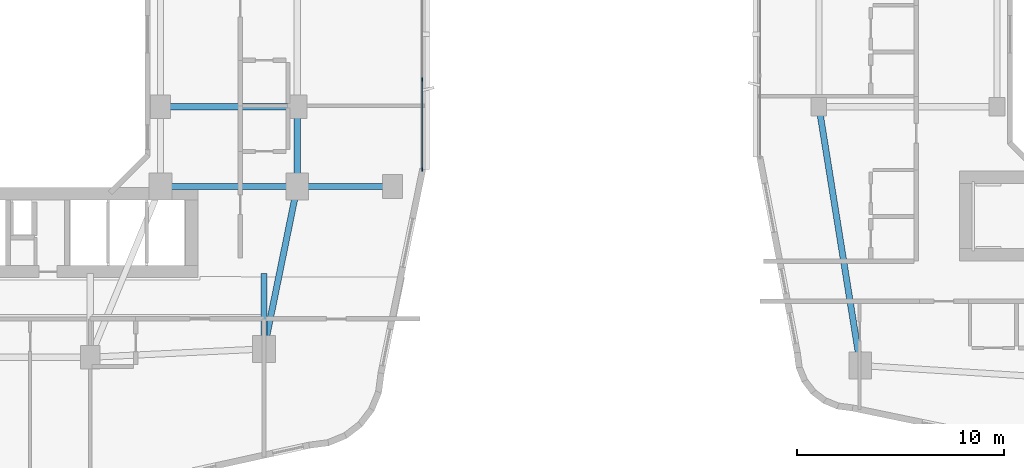
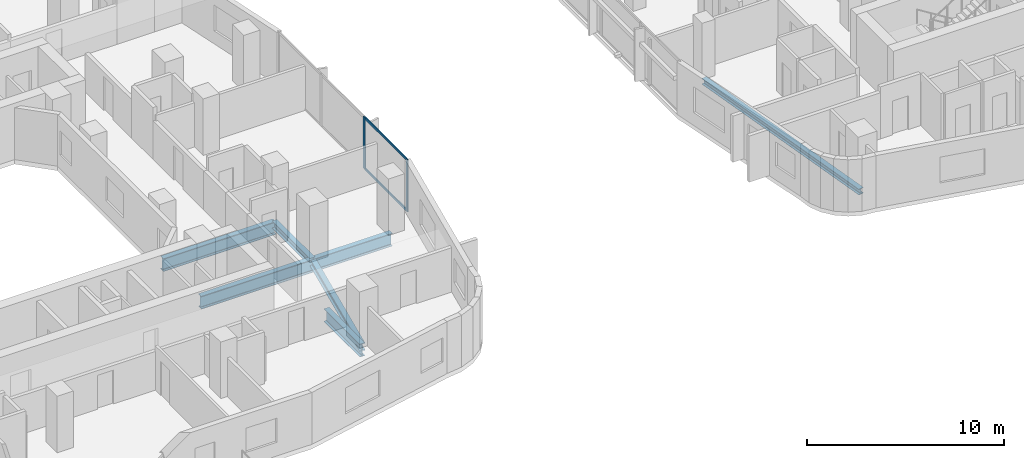
# One storey, part 3 of 22: 7 beams, 4 members, 1 element without a shape of its own.
"""IFC4 building model written with IfcOpenShell, lengths in metres."""

from ifc_helpers import new_model, si_unit, derived_unit, direction, frame, origin, origin_2d, place, context, subcontext, project, spatial, rectangle, i_section, extrude, material, layer, layer_set, material_profile, profile_set, type_object, element, aggregate, save


model = new_model("IFC4")

# Units and contexts
model_context = context("Model", 3, precision=1e-05, world=origin(), true_north=direction((0.0, 1.0)))
body_context = subcontext(model_context, "Body", "Model", "MODEL_VIEW")
ifc_project = project(units=[si_unit("LENGTHUNIT", "METRE"), si_unit("AREAUNIT", "SQUARE_METRE"), si_unit("VOLUMEUNIT", "CUBIC_METRE"), si_unit("PLANEANGLEUNIT", "RADIAN"), si_unit("MASSUNIT", "GRAM", prefix="KILO"), derived_unit("THERMALTRANSMITTANCEUNIT", [(si_unit("POWERUNIT", "WATT"), 1), (si_unit("LENGTHUNIT", "METRE"), -2), (si_unit("THERMODYNAMICTEMPERATUREUNIT", "KELVIN"), -1)])], contexts=[model_context])

# Site, building, storey
site_placement = place(None, origin())
site = spatial("IfcSite", under=ifc_project, at=site_placement, CompositionType="ELEMENT")
building_placement = place(site_placement, origin())
building = spatial("IfcBuilding", under=site, at=building_placement, Name="Kivonza Crest Hotel", CompositionType="ELEMENT")
storey_placement = place(building_placement, frame((0.0, 0.0, 48.5)))
storey = spatial("IfcBuildingStorey", under=building, at=storey_placement, Name="L12", CompositionType="ELEMENT", Elevation=48.5)

# Beams
ifc_material_1 = material(Name="Steel S355", Category="steel")
ifc_material_profile_1 = material_profile(ifc_material_1, i_section(OverallWidth=0.300048828125, OverallDepth=0.360107421875, WebThickness=0.012451171875, FlangeThickness=0.0224609375, FilletRadius=0.027099609375, at=origin_2d()), Name="HEB 360")
ifc_profile_set_1 = profile_set([ifc_material_profile_1], Name="Steel S355")
beam_type_1 = type_object("IfcBeamType", Name="BM-HEB360", PredefinedType="SPANDREL", material=ifc_profile_set_1)
beam_1_placement = place(storey_placement, frame((61.0, 21.5, -0.429931640625), z_axis=(0.157990501107, -0.987440631917, 0.0), x_axis=(0.987440631917, 0.157990501107, 0.0)))
element("IfcBeam", 1, at=beam_1_placement, inside=storey, type_object=beam_type_1, Name="Companion Tower T2 L12 perimeter spandrel W1-SW", PredefinedType="SPANDREL", context=body_context, shape_type="SweptSolid", body=[
    extrude(i_section(OverallWidth=0.300048828125, OverallDepth=0.360107421875, WebThickness=0.012451171875, FlangeThickness=0.0224609375, FilletRadius=0.027099609375, at=origin_2d()), origin(), (0.0, 0.0, 1.0), 12.658935546875),
])
ifc_material_profile_2 = material_profile(ifc_material_1, i_section(OverallWidth=0.300048828125, OverallDepth=0.449951171875, WebThickness=0.013916015625, FlangeThickness=0.02587890625, FilletRadius=0.027099609375, at=origin_2d()), Name="HEB 450")
ifc_profile_set_2 = profile_set([ifc_material_profile_2], Name="Steel S355")
beam_type_2 = type_object("IfcBeamType", Name="BM-HEB450", PredefinedType="SPANDREL", material=ifc_profile_set_2)
beam_2_placement = place(storey_placement, frame((34.199951171875, 9.800048828125, -0.5048828125), z_axis=(0.199730733965, 0.979850822273, 0.0), x_axis=(-0.979850822273, 0.199730733965, 0.0)))
element("IfcBeam", 2, at=beam_2_placement, inside=storey, type_object=beam_type_2, Name="Tower T1 L12 perimeter spandrel SE-PSE", PredefinedType="SPANDREL", context=body_context, shape_type="SweptSolid", body=[
    extrude(i_section(OverallWidth=0.300048828125, OverallDepth=0.449951171875, WebThickness=0.013916015625, FlangeThickness=0.02587890625, FilletRadius=0.027099609375, at=origin_2d()), origin(), (0.0, 0.0, 1.0), 8.01123046875),
])
beam_3_placement = place(storey_placement, frame((35.800048828125, 17.64990234375, -0.5048828125), z_axis=(0.0, 1.0, 0.0), x_axis=(-1.0, 0.0, 0.0)))
element("IfcBeam", 3, at=beam_3_placement, inside=storey, type_object=beam_type_2, Name="Tower T1 L12 perimeter spandrel PSE-E1", PredefinedType="SPANDREL", context=body_context, shape_type="SweptSolid", body=[
    extrude(i_section(OverallWidth=0.300048828125, OverallDepth=0.449951171875, WebThickness=0.013916015625, FlangeThickness=0.02587890625, FilletRadius=0.027099609375, at=origin_2d()), origin(), (0.0, 0.0, 1.0), 3.85009765625),
])
ifc_material_profile_3 = material_profile(ifc_material_1, i_section(OverallWidth=0.300048828125, OverallDepth=0.800048828125, WebThickness=0.017578125, FlangeThickness=0.032958984375, FilletRadius=0.030029296875, at=origin_2d()), Name="HEB 800")
ifc_profile_set_3 = profile_set([ifc_material_profile_3], Name="Steel S355")
beam_type_3 = type_object("IfcBeamType", Name="BM-HEB800", PredefinedType="BEAM", material=ifc_profile_set_3)
for number, where, z_axis, x_axis, name in (
    (4, (29.199951171875, 17.64990234375, -0.679931640625), (1.0, 0.0, 0.0), (0.0, 1.0, 0.0), "Tower T1 L12 primary girder TSE-PSE"),
    (5, (29.199951171875, 21.5, -0.679931640625), (1.0, 0.0, 0.0), (0.0, 1.0, 0.0), "Tower T1 L12 primary girder WR1-E1"),
):
    element("IfcBeam", number, at=place(storey_placement, frame(where, z_axis=z_axis, x_axis=x_axis)), inside=storey, type_object=beam_type_3, Name=name, PredefinedType="BEAM", context=body_context, shape_type="SweptSolid", body=[
        extrude(i_section(OverallWidth=0.300048828125, OverallDepth=0.800048828125, WebThickness=0.017578125, FlangeThickness=0.032958984375, FilletRadius=0.030029296875, at=origin_2d()), origin(), (0.0, 0.0, 1.0), 6.60009765625),
    ])
beam_4_placement = place(storey_placement, frame((40.39990234375, 17.64990234375, -0.679931640625), z_axis=(-1.0, 0.0, 0.0), x_axis=(0.0, -1.0, 0.0)))
element("IfcBeam", 6, at=beam_4_placement, inside=storey, type_object=beam_type_3, Name="Tower T1 L12 outer bay girder ZE1", PredefinedType="BEAM", context=body_context, shape_type="SweptSolid", body=[
    extrude(i_section(OverallWidth=0.300048828125, OverallDepth=0.800048828125, WebThickness=0.017578125, FlangeThickness=0.032958984375, FilletRadius=0.030029296875, at=origin_2d()), origin(), (0.0, 0.0, 1.0), 4.599853515625),
])
beam_5_placement = place(storey_placement, frame((34.199951171875, 9.800048828125, -0.679931640625), z_axis=(0.0, 1.0, 0.0), x_axis=(-1.0, 0.0, 0.0)))
element("IfcBeam", 7, at=beam_5_placement, inside=storey, type_object=beam_type_3, Name="Tower T1 L12 radial core girder RSE", PredefinedType="BEAM", context=body_context, shape_type="SweptSolid", body=[
    extrude(i_section(OverallWidth=0.300048828125, OverallDepth=0.800048828125, WebThickness=0.017578125, FlangeThickness=0.032958984375, FilletRadius=0.030029296875, at=origin_2d()), origin(), (0.0, 0.0, 1.0), 3.64990234375),
])

# Curtain wall, members
ifc_material_2 = material(Name="Anodised bronze aluminium and low-E double glazing", Category="aluminium")
ifc_layer = layer(ifc_material_2, 0.179931640625)
ifc_layer_set = layer_set([ifc_layer], Name="Anodised bronze aluminium and low-E double glazing")
curtain_wall_type = type_object("IfcCurtainWallType", Name="CW-SYS-2", PredefinedType="NOTDEFINED", material=ifc_layer_set)
curtain_wall_placement = place(storey_placement, origin())
curtain_wall = element("IfcCurtainWall", 8, at=curtain_wall_placement, inside=storey, type_object=curtain_wall_type, Name="L12 unitised curtain wall CW-T1-L12-17", PredefinedType="NOTDEFINED")
ifc_material_3 = material(Name="Anodised bronze aluminium", Category="aluminium")
ifc_material_profile_4 = material_profile(ifc_material_3, rectangle(XDim=0.06494140625, YDim=0.179931640625, at=origin_2d()), Name="CW-M 65x180")
ifc_profile_set_4 = profile_set([ifc_material_profile_4], Name="Anodised bronze aluminium")
member_type_1 = type_object("IfcMemberType", Name="CW-MUL-65x180", PredefinedType="MULLION", material=ifc_profile_set_4)
member_1_placement = place(storey_placement, frame((41.840087890625, 18.472412109375, 0.0), z_axis=(0.0, 0.0, 1.0), x_axis=(-1.0, 0.0, 0.0)))
member_1 = element("IfcMember", 9, at=member_1_placement, type_object=member_type_1, Name="CW-2 mullion 1", PredefinedType="MULLION", context=body_context, shape_type="SweptSolid", body=[
    extrude(rectangle(XDim=0.06494140625, YDim=0.179931640625, at=origin_2d()), origin(), (0.0, 0.0, 1.0), 3.219970703125),
])
member_2_placement = place(storey_placement, frame((41.840087890625, 22.813232421875, 0.0), z_axis=(0.0, 0.0, 1.0), x_axis=(-1.0, 0.0, 0.0)))
member_2 = element("IfcMember", 10, at=member_2_placement, type_object=member_type_1, Name="CW-2 mullion 2", PredefinedType="MULLION", context=body_context, shape_type="SweptSolid", body=[
    extrude(rectangle(XDim=0.06494140625, YDim=0.179931640625, at=origin_2d()), origin(), (0.0, 0.0, 1.0), 3.219970703125),
])
ifc_material_profile_5 = material_profile(ifc_material_3, rectangle(XDim=0.06494140625, YDim=0.139892578125, at=origin_2d()), Name="CW-T 65x140")
ifc_profile_set_5 = profile_set([ifc_material_profile_5], Name="Anodised bronze aluminium")
member_type_2 = type_object("IfcMemberType", Name="CW-TRN-65x140", PredefinedType="USERDEFINED", material=ifc_profile_set_5)
member_3_placement = place(storey_placement, frame((41.840087890625, 18.5048828125, 0.032470703125), z_axis=(0.0, 1.0, 0.0), x_axis=(-1.0, 0.0, 0.0)))
member_3 = element("IfcMember", 11, at=member_3_placement, type_object=member_type_2, Name="CW-2 transom 1.1", ObjectType="TRANSOM", PredefinedType="USERDEFINED", context=body_context, shape_type="SweptSolid", body=[
    extrude(rectangle(XDim=0.06494140625, YDim=0.139892578125, at=origin_2d()), origin(), (0.0, 0.0, 1.0), 4.27587890625),
])
member_4_placement = place(storey_placement, frame((41.840087890625, 18.5048828125, 3.1875), z_axis=(0.0, 1.0, 0.0), x_axis=(-1.0, 0.0, 0.0)))
member_4 = element("IfcMember", 12, at=member_4_placement, type_object=member_type_2, Name="CW-2 transom 1.2", ObjectType="TRANSOM", PredefinedType="USERDEFINED", context=body_context, shape_type="SweptSolid", body=[
    extrude(rectangle(XDim=0.06494140625, YDim=0.139892578125, at=origin_2d()), origin(), (0.0, 0.0, 1.0), 4.27587890625),
])
aggregate(curtain_wall, [member_1, member_2, member_3, member_4])

save(model, "model.ifc")
